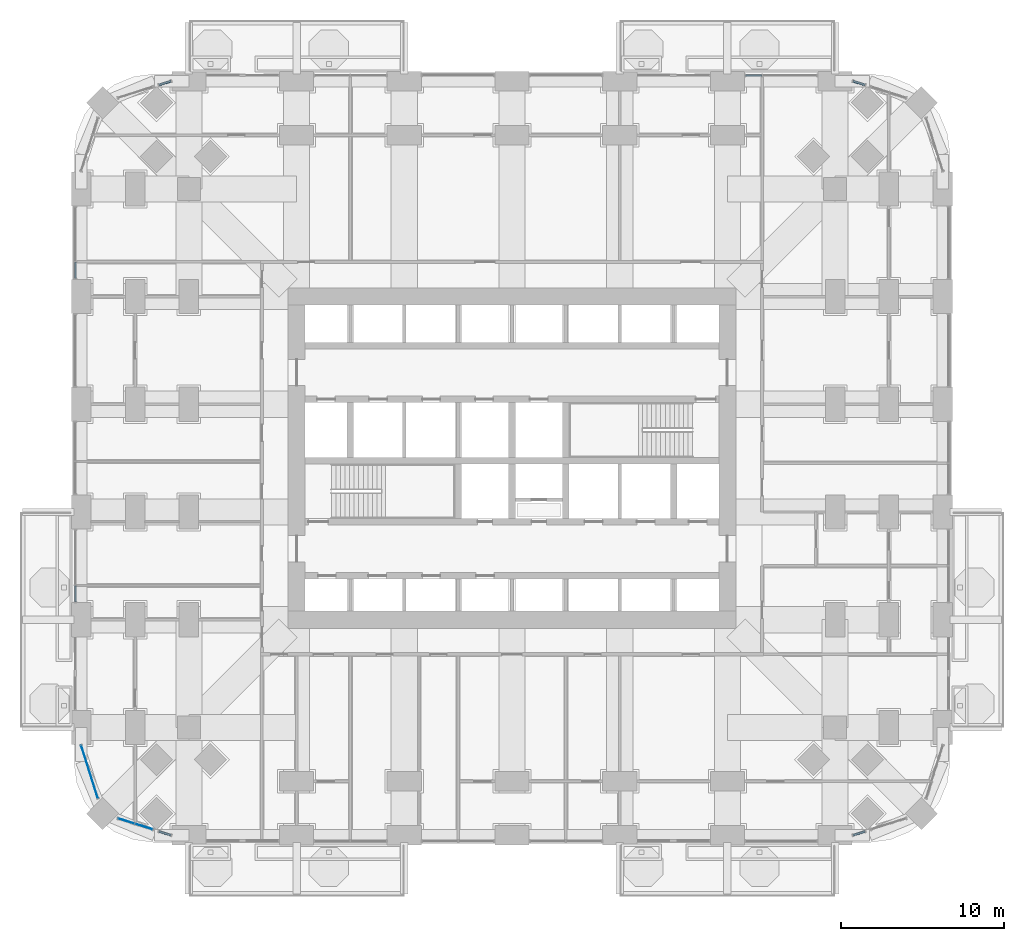
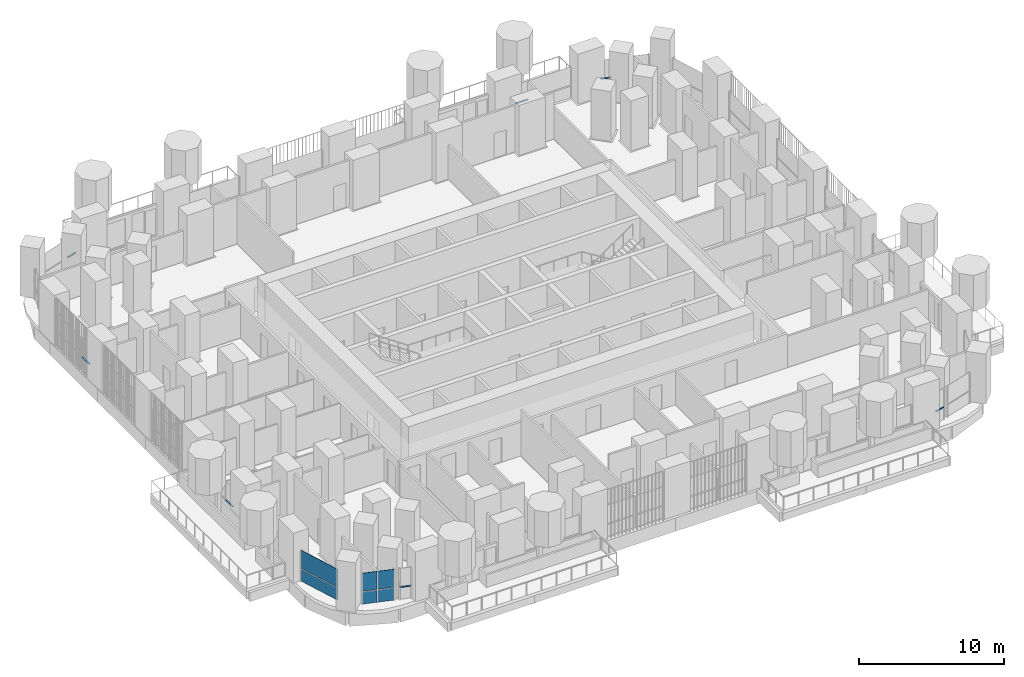
# One storey, part 11 of 27: 7 members, 6 plates, 9 elements without a shape of their own.
"""IFC4 building model written with IfcOpenShell, lengths in metres."""

from ifc_helpers import new_model, si_unit, direction, frame, origin, origin_2d, place, context, subcontext, project, spatial, rectangle, extrude, material, layer, layer_set, material_profile, profile_set, type_object, element, aggregate, save


model = new_model("IFC4")

# Units and contexts
model_context = context("Model", 3, precision=1e-05, world=origin(), true_north=direction((0.0, 1.0)))
body_context = subcontext(model_context, "Body", "Model", "MODEL_VIEW")
ifc_project = project(units=[si_unit("LENGTHUNIT", "METRE"), si_unit("AREAUNIT", "SQUARE_METRE"), si_unit("VOLUMEUNIT", "CUBIC_METRE"), si_unit("PLANEANGLEUNIT", "RADIAN"), si_unit("MASSUNIT", "GRAM", prefix="KILO")], contexts=[model_context])

# Site, building, storey
site_placement = place(None, origin())
site = spatial("IfcSite", under=ifc_project, at=site_placement, CompositionType="ELEMENT")
building_placement = place(site_placement, origin())
building = spatial("IfcBuilding", under=site, at=building_placement, Name="Cobogo Forest Laboratory Tower", CompositionType="ELEMENT")
storey_placement = place(building_placement, frame((0.0, 0.0, 63.300048828125)))
storey = spatial("IfcBuildingStorey", under=building, at=storey_placement, Name="L14", CompositionType="ELEMENT", Elevation=63.300048828125)

# Curtain wall, member
ifc_material_1 = material(Name="Aluminium curtain wall", Category="aluminium")
curtain_wall_type = type_object("IfcCurtainWallType", Name="CW-1 unitised curtain wall, clear glazing, laboratory floors zones A and B", PredefinedType="USERDEFINED", material=ifc_material_1)
curtain_wall_1_placement = place(storey_placement, origin())
curtain_wall_1 = element("IfcCurtainWall", 1, at=curtain_wall_1_placement, inside=storey, type_object=curtain_wall_type, Name="Curtain wall 07 L14", ObjectType="UNITISED CURTAIN WALL", PredefinedType="USERDEFINED")
ifc_material_2 = material(Name="Aluminium transom", Category="aluminium")
ifc_material_profile = material_profile(ifc_material_2, rectangle(XDim=0.1201171875, YDim=0.06005859375, at=origin_2d()), Name="AL 60x120")
ifc_profile_set = profile_set([ifc_material_profile], Name="Aluminium transom")
member_type = type_object("IfcMemberType", Name="TR-1 aluminium transom 60x120", PredefinedType="USERDEFINED", material=ifc_profile_set)
member_1_placement = place(storey_placement, frame((47.30712890625, -0.000244140625, 1.050048828125), z_axis=(0.95359247203, 0.301100311005, 0.0), x_axis=(-0.301100311005, 0.95359247203, 0.0)))
member_1 = element("IfcMember", 2, at=member_1_placement, type_object=member_type, Name="CW-1 transom 1.1", ObjectType="TRANSOM", PredefinedType="USERDEFINED", context=body_context, shape_type="SweptSolid", body=[
    extrude(rectangle(XDim=0.1201171875, YDim=0.06005859375, at=origin_2d()), origin(), (0.0, 0.0, 1.0), 0.75244140625),
])
aggregate(curtain_wall_1, [member_1])

curtain_wall_2_placement = place(storey_placement, origin())
curtain_wall_2 = element("IfcCurtainWall", 3, at=curtain_wall_2_placement, inside=storey, type_object=curtain_wall_type, Name="Curtain wall 17 L14", ObjectType="UNITISED CURTAIN WALL", PredefinedType="USERDEFINED")
member_2_placement = place(storey_placement, frame((48.024658203125, 45.973876953125, 1.050048828125), z_axis=(-0.95359247203, 0.301100311005, 0.0), x_axis=(-0.301100311005, -0.95359247203, 0.0)))
member_2 = element("IfcMember", 4, at=member_2_placement, type_object=member_type, Name="CW-1 transom 1.1", ObjectType="TRANSOM", PredefinedType="USERDEFINED", context=body_context, shape_type="SweptSolid", body=[
    extrude(rectangle(XDim=0.1201171875, YDim=0.06005859375, at=origin_2d()), origin(), (0.0, 0.0, 1.0), 0.75244140625),
])
aggregate(curtain_wall_2, [member_2])

curtain_wall_3_placement = place(storey_placement, origin())
curtain_wall_3 = element("IfcCurtainWall", 5, at=curtain_wall_3_placement, inside=storey, type_object=curtain_wall_type, Name="Curtain wall 18 L14", ObjectType="UNITISED CURTAIN WALL", PredefinedType="USERDEFINED")
member_3_placement = place(storey_placement, frame((41.695068359375, 46.550048828125, 1.050048828125), z_axis=(-1.0, 0.0, 0.0), x_axis=(0.0, -1.0, 0.0)))
member_3 = element("IfcMember", 6, at=member_3_placement, type_object=member_type, Name="CW-1 transom 2.1", ObjectType="TRANSOM", PredefinedType="USERDEFINED", context=body_context, shape_type="SweptSolid", body=[
    extrude(rectangle(XDim=0.1201171875, YDim=0.06005859375, at=origin_2d()), origin(), (0.0, 0.0, 1.0), 0.985107421875),
])
aggregate(curtain_wall_3, [member_3])

curtain_wall_4_placement = place(storey_placement, origin())
curtain_wall_4 = element("IfcCurtainWall", 7, at=curtain_wall_4_placement, inside=storey, type_object=curtain_wall_type, Name="Curtain wall 24 L14", ObjectType="UNITISED CURTAIN WALL", PredefinedType="USERDEFINED")
member_4_placement = place(storey_placement, frame((5.49267578125, 46.200439453125, 1.050048828125), z_axis=(-0.953563042236, -0.301193500066, 0.0), x_axis=(0.301193500066, -0.953563042236, 0.0)))
member_4 = element("IfcMember", 8, at=member_4_placement, type_object=member_type, Name="CW-1 transom 1.1", ObjectType="TRANSOM", PredefinedType="USERDEFINED", context=body_context, shape_type="SweptSolid", body=[
    extrude(rectangle(XDim=0.1201171875, YDim=0.06005859375, at=origin_2d()), origin(), (0.0, 0.0, 1.0), 0.752197265625),
])
aggregate(curtain_wall_4, [member_4])

curtain_wall_5_placement = place(storey_placement, origin())
curtain_wall_5 = element("IfcCurtainWall", 9, at=curtain_wall_5_placement, inside=storey, type_object=curtain_wall_type, Name="Curtain wall 27 L14", ObjectType="UNITISED CURTAIN WALL", PredefinedType="USERDEFINED")
member_5_placement = place(storey_placement, frame((-0.35009765625, 35.094970703125, 1.050048828125), z_axis=(0.0, -1.0, 0.0), x_axis=(1.0, 0.0, 0.0)))
member_5 = element("IfcMember", 10, at=member_5_placement, type_object=member_type, Name="CW-1 transom 2.1", ObjectType="TRANSOM", PredefinedType="USERDEFINED", context=body_context, shape_type="SweptSolid", body=[
    extrude(rectangle(XDim=0.1201171875, YDim=0.06005859375, at=origin_2d()), origin(), (0.0, 0.0, 1.0), 0.98486328125),
])
aggregate(curtain_wall_5, [member_5])

curtain_wall_6_placement = place(storey_placement, origin())
curtain_wall_6 = element("IfcCurtainWall", 11, at=curtain_wall_6_placement, inside=storey, type_object=curtain_wall_type, Name="Curtain wall 30 L14", ObjectType="UNITISED CURTAIN WALL", PredefinedType="USERDEFINED")
member_6_placement = place(storey_placement, frame((-0.35009765625, 15.27001953125, 1.050048828125), z_axis=(0.0, -1.0, 0.0), x_axis=(1.0, 0.0, 0.0)))
member_6 = element("IfcMember", 12, at=member_6_placement, type_object=member_type, Name="CW-1 transom 2.1", ObjectType="TRANSOM", PredefinedType="USERDEFINED", context=body_context, shape_type="SweptSolid", body=[
    extrude(rectangle(XDim=0.1201171875, YDim=0.06005859375, at=origin_2d()), origin(), (0.0, 0.0, 1.0), 0.9599609375),
])
aggregate(curtain_wall_6, [member_6])

curtain_wall_7_placement = place(storey_placement, origin())
curtain_wall_7 = element("IfcCurtainWall", 13, at=curtain_wall_7_placement, inside=storey, type_object=curtain_wall_type, Name="Curtain wall 34 L14", ObjectType="UNITISED CURTAIN WALL", PredefinedType="USERDEFINED")
member_7_placement = place(storey_placement, frame((4.775390625, 0.226318359375, 1.050048828125), z_axis=(0.953563042236, -0.301193500066, 0.0), x_axis=(0.301193500066, 0.953563042236, 0.0)))
member_7 = element("IfcMember", 14, at=member_7_placement, type_object=member_type, Name="CW-1 transom 1.1", ObjectType="TRANSOM", PredefinedType="USERDEFINED", context=body_context, shape_type="SweptSolid", body=[
    extrude(rectangle(XDim=0.1201171875, YDim=0.06005859375, at=origin_2d()), origin(), (0.0, 0.0, 1.0), 0.752197265625),
])
aggregate(curtain_wall_7, [member_7])

# Curtain wall, plates
curtain_wall_8_placement = place(storey_placement, origin())
curtain_wall_8 = element("IfcCurtainWall", 15, at=curtain_wall_8_placement, inside=storey, type_object=curtain_wall_type, Name="Curtain wall 32 L14", ObjectType="UNITISED CURTAIN WALL", PredefinedType="USERDEFINED")
ifc_material_3 = material(Name="Clear insulated glass", Category="glass")
ifc_layer = layer(ifc_material_3, 0.028076171875)
ifc_layer_set = layer_set([ifc_layer], Name="GP-1 clear insulated glass unit 28")
plate_type = type_object("IfcPlateType", Name="GP-1 clear insulated glass unit 28", PredefinedType="CURTAIN_PANEL", material=ifc_layer_set)
plate_1_placement = place(storey_placement, frame((0.509033203125, 3.880126953125, 0.0), z_axis=(0.0, 0.0, 1.0), x_axis=(0.30113535792, -0.95358140513, 0.0)))
plate_1 = element("IfcPlate", 16, at=plate_1_placement, type_object=plate_type, Name="CW-1 panel 1.1", PredefinedType="CURTAIN_PANEL", context=body_context, shape_type="SweptSolid", body=[
    extrude(rectangle(XDim=3.382568359375, YDim=0.028076171875, at=origin_2d()), origin(), (0.0, 0.0, 1.0), 1.02001953125),
])
plate_2_placement = place(storey_placement, frame((0.509033203125, 3.880126953125, 1.079833984375), z_axis=(0.0, 0.0, 1.0), x_axis=(0.30113535792, -0.95358140513, 0.0)))
plate_2 = element("IfcPlate", 17, at=plate_2_placement, type_object=plate_type, Name="CW-1 panel 1.2", PredefinedType="CURTAIN_PANEL", context=body_context, shape_type="SweptSolid", body=[
    extrude(rectangle(XDim=3.382568359375, YDim=0.028076171875, at=origin_2d()), origin(), (0.0, 0.0, 1.0), 1.52001953125),
])
aggregate(curtain_wall_8, [plate_1, plate_2])

curtain_wall_9_placement = place(storey_placement, origin())
curtain_wall_9 = element("IfcCurtainWall", 18, at=curtain_wall_9_placement, inside=storey, type_object=curtain_wall_type, Name="Curtain wall 33 L14", ObjectType="UNITISED CURTAIN WALL", PredefinedType="USERDEFINED")
plate_3_placement = place(storey_placement, frame((2.75732421875, 0.863525390625, 0.0), z_axis=(0.0, 0.0, 1.0), x_axis=(0.953581409645, -0.301135343623, 0.0)))
plate_3 = element("IfcPlate", 19, at=plate_3_placement, type_object=plate_type, Name="CW-1 panel 1.1", PredefinedType="CURTAIN_PANEL", context=body_context, shape_type="SweptSolid", body=[
    extrude(rectangle(XDim=1.027587890625, YDim=0.028076171875, at=origin_2d()), origin(), (0.0, 0.0, 1.0), 1.02001953125),
])
plate_4_placement = place(storey_placement, frame((2.75732421875, 0.863525390625, 1.079833984375), z_axis=(0.0, 0.0, 1.0), x_axis=(0.953581409645, -0.301135343623, 0.0)))
plate_4 = element("IfcPlate", 20, at=plate_4_placement, type_object=plate_type, Name="CW-1 panel 1.2", PredefinedType="CURTAIN_PANEL", context=body_context, shape_type="SweptSolid", body=[
    extrude(rectangle(XDim=1.027587890625, YDim=0.028076171875, at=origin_2d()), origin(), (0.0, 0.0, 1.0), 1.52001953125),
])
plate_5_placement = place(storey_placement, frame((3.83642578125, 0.522705078125, 0.0), z_axis=(0.0, 0.0, 1.0), x_axis=(0.953581409645, -0.301135343623, 0.0)))
plate_5 = element("IfcPlate", 21, at=plate_5_placement, type_object=plate_type, Name="CW-1 panel 2.1", PredefinedType="CURTAIN_PANEL", context=body_context, shape_type="SweptSolid", body=[
    extrude(rectangle(XDim=1.11572265625, YDim=0.028076171875, at=origin_2d()), origin(), (0.0, 0.0, 1.0), 1.02001953125),
])
plate_6_placement = place(storey_placement, frame((3.83642578125, 0.522705078125, 1.079833984375), z_axis=(0.0, 0.0, 1.0), x_axis=(0.953581409645, -0.301135343623, 0.0)))
plate_6 = element("IfcPlate", 22, at=plate_6_placement, type_object=plate_type, Name="CW-1 panel 2.2", PredefinedType="CURTAIN_PANEL", context=body_context, shape_type="SweptSolid", body=[
    extrude(rectangle(XDim=1.11572265625, YDim=0.028076171875, at=origin_2d()), origin(), (0.0, 0.0, 1.0), 1.52001953125),
])
aggregate(curtain_wall_9, [plate_3, plate_4, plate_5, plate_6])

save(model, "model.ifc")
